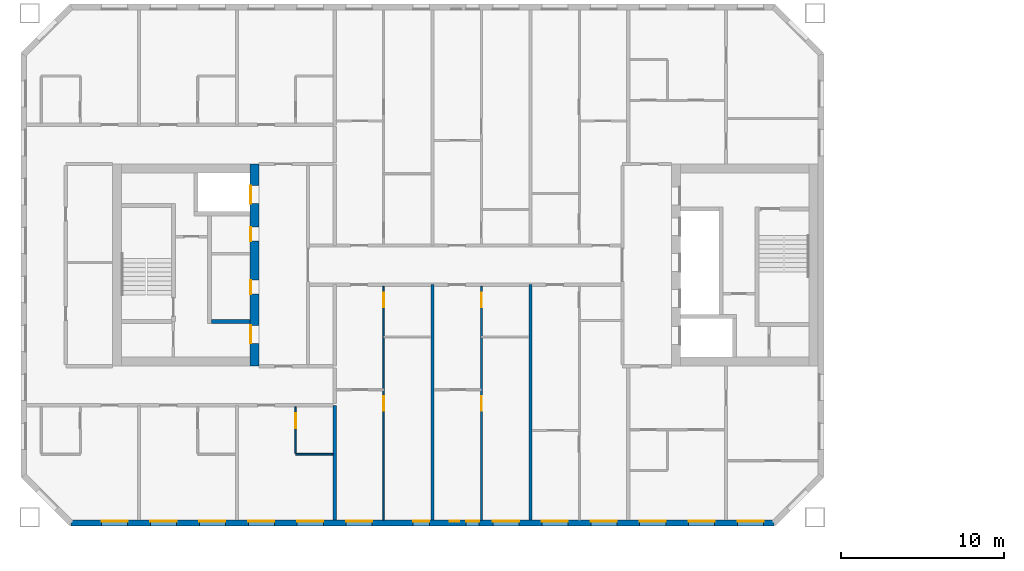
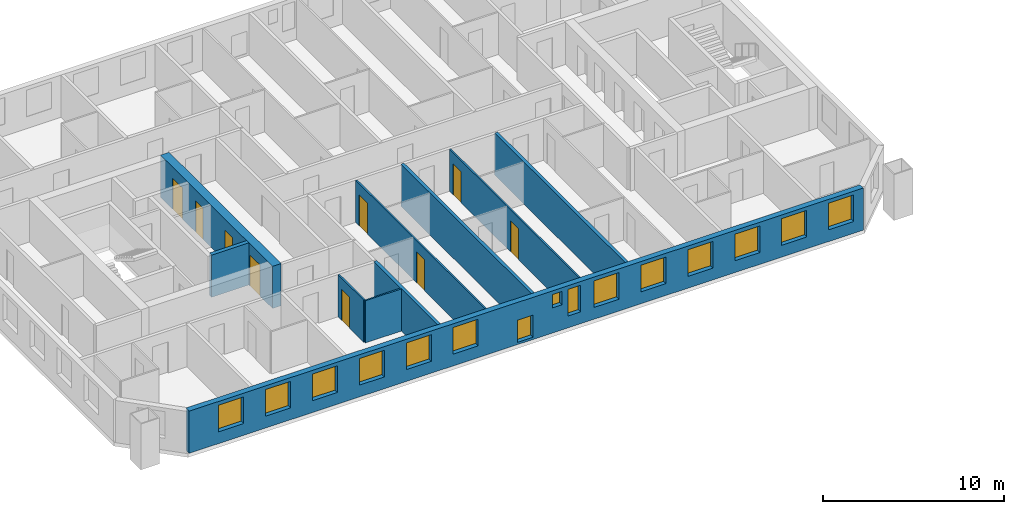
# One storey, part 3 of 16: 15 windows, 10 walls, 9 doors, 24 openings.
"""IFC4 building model written with IfcOpenShell, lengths in metres."""

from ifc_helpers import new_model, si_unit, direction, frame, frame_2d, origin, place, context, subcontext, project, spatial, rectangle, extrude, material, layer, layer_set, type_object, element, fill, save


model = new_model("IFC4")

# Units and contexts
model_context = context("Model", 3, precision=1e-05, world=origin(), true_north=direction((0.0, 1.0)))
body_context = subcontext(model_context, "Body", "Model", "MODEL_VIEW")
ifc_project = project(units=[si_unit("LENGTHUNIT", "METRE"), si_unit("AREAUNIT", "SQUARE_METRE"), si_unit("VOLUMEUNIT", "CUBIC_METRE"), si_unit("PLANEANGLEUNIT", "RADIAN"), si_unit("MASSUNIT", "GRAM", prefix="KILO")], contexts=[model_context])

# Site, building, storey
site_placement = place(None, origin())
site = spatial("IfcSite", under=ifc_project, at=site_placement, CompositionType="ELEMENT")
building_placement = place(site_placement, origin())
building = spatial("IfcBuilding", under=site, at=building_placement, Name="Tuart Gate Housing", CompositionType="ELEMENT")
storey_placement = place(building_placement, frame((0.0, 0.0, 139.199951171875)))
storey = spatial("IfcBuildingStorey", under=building, at=storey_placement, Name="L39", CompositionType="ELEMENT", Elevation=139.199951171875)

# Wall, openings, windows
ifc_material_1 = material(Name="Brick", Category="masonry")
ifc_layer_1 = layer(ifc_material_1, 0.360107421875)
ifc_layer_set_1 = layer_set([ifc_layer_1], Name="Brick pier and spandrel wall 360")
wall_type_1 = type_object("IfcWallType", Name="Brick pier and spandrel wall 360", PredefinedType="STANDARD", material=ifc_layer_set_1)
wall_1_placement = place(storey_placement, frame((29.82470703125, 54.179931640625, 0.0), z_axis=(0.0, 0.0, 1.0), x_axis=(1.0, 0.0, 0.0)))
wall_1 = element("IfcWall", 1, at=wall_1_placement, inside=storey, type_object=wall_type_1, Name="External wall A-S L39", PredefinedType="STANDARD", context=body_context, shape_type="SweptSolid", body=[
    extrude(rectangle(XDim=43.100830078125, YDim=0.360107421875, at=frame_2d((21.55029296875, 0.0))), origin(), (0.0, 0.0, 1.0), 2.85009765625),
])
opening_1_placement = place(wall_1_placement, frame((1.87548828125, 0.0, 0.800048828125)))
opening_1 = element("IfcOpeningElement", 2, at=opening_1_placement, cuts=wall_1, Name="Opening W1", PredefinedType="OPENING", context=body_context, shape_type="SweptSolid", body=[
    extrude(rectangle(XDim=1.60009765625, YDim=1.800048828125, at=frame_2d((0.800048828125, 0.89990234375))), frame((0.0, 0.18994140625, 0.0), z_axis=(0.0, -1.0, 0.0), x_axis=(1.0, 0.0, 0.0)), (0.0, 0.0, 1.0), 0.380126953125),
])
opening_2_placement = place(wall_1_placement, frame((4.87548828125, 0.0, 0.800048828125)))
opening_2 = element("IfcOpeningElement", 3, at=opening_2_placement, cuts=wall_1, Name="Opening W1", PredefinedType="OPENING", context=body_context, shape_type="SweptSolid", body=[
    extrude(rectangle(XDim=1.60009765625, YDim=1.800048828125, at=frame_2d((0.800048828125, 0.89990234375))), frame((0.0, 0.18994140625, 0.0), z_axis=(0.0, -1.0, 0.0), x_axis=(1.0, 0.0, 0.0)), (0.0, 0.0, 1.0), 0.380126953125),
])
opening_3_placement = place(wall_1_placement, frame((7.87548828125, 0.0, 0.800048828125)))
opening_3 = element("IfcOpeningElement", 4, at=opening_3_placement, cuts=wall_1, Name="Opening W1", PredefinedType="OPENING", context=body_context, shape_type="SweptSolid", body=[
    extrude(rectangle(XDim=1.60009765625, YDim=1.800048828125, at=frame_2d((0.800048828125, 0.89990234375))), frame((0.0, 0.18994140625, 0.0), z_axis=(0.0, -1.0, 0.0), x_axis=(1.0, 0.0, 0.0)), (0.0, 0.0, 1.0), 0.380126953125),
])
opening_4_placement = place(wall_1_placement, frame((10.87548828125, 0.0, 0.800048828125)))
opening_4 = element("IfcOpeningElement", 5, at=opening_4_placement, cuts=wall_1, Name="Opening W1", PredefinedType="OPENING", context=body_context, shape_type="SweptSolid", body=[
    extrude(rectangle(XDim=1.60009765625, YDim=1.800048828125, at=frame_2d((0.800048828125, 0.89990234375))), frame((0.0, 0.18994140625, 0.0), z_axis=(0.0, -1.0, 0.0), x_axis=(1.0, 0.0, 0.0)), (0.0, 0.0, 1.0), 0.380126953125),
])
opening_5_placement = place(wall_1_placement, frame((13.87548828125, 0.0, 0.800048828125)))
opening_5 = element("IfcOpeningElement", 6, at=opening_5_placement, cuts=wall_1, Name="Opening W1", PredefinedType="OPENING", context=body_context, shape_type="SweptSolid", body=[
    extrude(rectangle(XDim=1.60009765625, YDim=1.800048828125, at=frame_2d((0.800048828125, 0.89990234375))), frame((0.0, 0.18994140625, 0.0), z_axis=(0.0, -1.0, 0.0), x_axis=(1.0, 0.0, 0.0)), (0.0, 0.0, 1.0), 0.380126953125),
])
opening_6_placement = place(wall_1_placement, frame((16.87548828125, 0.0, 0.800048828125)))
opening_6 = element("IfcOpeningElement", 7, at=opening_6_placement, cuts=wall_1, Name="Opening W1", PredefinedType="OPENING", context=body_context, shape_type="SweptSolid", body=[
    extrude(rectangle(XDim=1.60009765625, YDim=1.800048828125, at=frame_2d((0.800048828125, 0.89990234375))), frame((0.0, 0.18994140625, 0.0), z_axis=(0.0, -1.0, 0.0), x_axis=(1.0, 0.0, 0.0)), (0.0, 0.0, 1.0), 0.380126953125),
])
opening_7_placement = place(wall_1_placement, frame((20.975341796875, 0.0, 0.14990234375)))
opening_7 = element("IfcOpeningElement", 8, at=opening_7_placement, cuts=wall_1, Name="Opening W1I", PredefinedType="OPENING", context=body_context, shape_type="SweptSolid", body=[
    extrude(rectangle(XDim=1.0, YDim=1.5, at=frame_2d((0.5, 0.75))), frame((0.0, 0.18994140625, 0.0), z_axis=(0.0, -1.0, 0.0), x_axis=(1.0, 0.0, 0.0)), (0.0, 0.0, 1.0), 0.380126953125),
])
opening_8_placement = place(wall_1_placement, frame((23.225341796875, 0.0, 1.699951171875)))
opening_8 = element("IfcOpeningElement", 9, at=opening_8_placement, cuts=wall_1, Name="Opening W1W", PredefinedType="OPENING", context=body_context, shape_type="SweptSolid", body=[
    extrude(rectangle(XDim=0.60009765625, YDim=0.89990234375, at=frame_2d((0.300048828125, 0.449951171875))), frame((0.0, 0.18994140625, 0.0), z_axis=(0.0, -1.0, 0.0), x_axis=(1.0, 0.0, 0.0)), (0.0, 0.0, 1.0), 0.380126953125),
])
opening_9_placement = place(wall_1_placement, frame((25.87548828125, 0.0, 0.800048828125)))
opening_9 = element("IfcOpeningElement", 10, at=opening_9_placement, cuts=wall_1, Name="Opening W1", PredefinedType="OPENING", context=body_context, shape_type="SweptSolid", body=[
    extrude(rectangle(XDim=1.60009765625, YDim=1.800048828125, at=frame_2d((0.800048828125, 0.89990234375))), frame((0.0, 0.18994140625, 0.0), z_axis=(0.0, -1.0, 0.0), x_axis=(1.0, 0.0, 0.0)), (0.0, 0.0, 1.0), 0.380126953125),
])
opening_10_placement = place(wall_1_placement, frame((28.87548828125, 0.0, 0.800048828125)))
opening_10 = element("IfcOpeningElement", 11, at=opening_10_placement, cuts=wall_1, Name="Opening W1", PredefinedType="OPENING", context=body_context, shape_type="SweptSolid", body=[
    extrude(rectangle(XDim=1.60009765625, YDim=1.800048828125, at=frame_2d((0.800048828125, 0.89990234375))), frame((0.0, 0.18994140625, 0.0), z_axis=(0.0, -1.0, 0.0), x_axis=(1.0, 0.0, 0.0)), (0.0, 0.0, 1.0), 0.380126953125),
])
opening_11_placement = place(wall_1_placement, frame((31.87548828125, 0.0, 0.800048828125)))
opening_11 = element("IfcOpeningElement", 12, at=opening_11_placement, cuts=wall_1, Name="Opening W1", PredefinedType="OPENING", context=body_context, shape_type="SweptSolid", body=[
    extrude(rectangle(XDim=1.60009765625, YDim=1.800048828125, at=frame_2d((0.800048828125, 0.89990234375))), frame((0.0, 0.18994140625, 0.0), z_axis=(0.0, -1.0, 0.0), x_axis=(1.0, 0.0, 0.0)), (0.0, 0.0, 1.0), 0.380126953125),
])
opening_12_placement = place(wall_1_placement, frame((34.87548828125, 0.0, 0.800048828125)))
opening_12 = element("IfcOpeningElement", 13, at=opening_12_placement, cuts=wall_1, Name="Opening W1", PredefinedType="OPENING", context=body_context, shape_type="SweptSolid", body=[
    extrude(rectangle(XDim=1.60009765625, YDim=1.800048828125, at=frame_2d((0.800048828125, 0.89990234375))), frame((0.0, 0.18994140625, 0.0), z_axis=(0.0, -1.0, 0.0), x_axis=(1.0, 0.0, 0.0)), (0.0, 0.0, 1.0), 0.380126953125),
])
opening_13_placement = place(wall_1_placement, frame((37.87548828125, 0.0, 0.800048828125)))
opening_13 = element("IfcOpeningElement", 14, at=opening_13_placement, cuts=wall_1, Name="Opening W1", PredefinedType="OPENING", context=body_context, shape_type="SweptSolid", body=[
    extrude(rectangle(XDim=1.60009765625, YDim=1.800048828125, at=frame_2d((0.800048828125, 0.89990234375))), frame((0.0, 0.18994140625, 0.0), z_axis=(0.0, -1.0, 0.0), x_axis=(1.0, 0.0, 0.0)), (0.0, 0.0, 1.0), 0.380126953125),
])
opening_14_placement = place(wall_1_placement, frame((40.87548828125, 0.0, 0.800048828125)))
opening_14 = element("IfcOpeningElement", 15, at=opening_14_placement, cuts=wall_1, Name="Opening W1", PredefinedType="OPENING", context=body_context, shape_type="SweptSolid", body=[
    extrude(rectangle(XDim=1.60009765625, YDim=1.800048828125, at=frame_2d((0.800048828125, 0.89990234375))), frame((0.0, 0.18994140625, 0.0), z_axis=(0.0, -1.0, 0.0), x_axis=(1.0, 0.0, 0.0)), (0.0, 0.0, 1.0), 0.380126953125),
])
opening_15_placement = place(wall_1_placement, frame((24.225341796875, 0.0, 0.800048828125)))
opening_15 = element("IfcOpeningElement", 16, at=opening_15_placement, cuts=wall_1, Name="Opening W1D", PredefinedType="OPENING", context=body_context, shape_type="SweptSolid", body=[
    extrude(rectangle(XDim=0.800048828125, YDim=1.800048828125, at=frame_2d((0.39990234375, 0.89990234375))), frame((0.0, 0.18994140625, 0.0), z_axis=(0.0, -1.0, 0.0), x_axis=(1.0, 0.0, 0.0)), (0.0, 0.0, 1.0), 0.380126953125),
])
ifc_material_2 = material(Name="Aluminium frame with clear glass", Category="aluminium")
window_type_1 = type_object("IfcWindowType", Name="Punched window 1000 x 1500", PartitioningType="SINGLE_PANEL", PredefinedType="WINDOW", material=ifc_material_2)
window_1_placement = place(opening_7_placement, origin())
window_1 = element("IfcWindow", 17, at=window_1_placement, inside=storey, type_object=window_type_1, Name="Window W1I", OverallHeight=1.5, OverallWidth=1.0, PartitioningType="SINGLE_PANEL", PredefinedType="WINDOW", context=body_context, shape_type="SweptSolid", body=[
    extrude(rectangle(XDim=1.0, YDim=1.5, at=frame_2d((0.5, 0.75))), frame((0.0, 0.150146484375, 0.0), z_axis=(0.0, -1.0, 0.0), x_axis=(1.0, 0.0, 0.0)), (0.0, 0.0, 1.0), 0.06005859375),
])
fill(opening_7, window_1)
ifc_material_3 = material(Name="Aluminium frame with clear glass", Category="aluminium")
window_type_2 = type_object("IfcWindowType", Name="Punched window 1600 x 1800", PartitioningType="SINGLE_PANEL", PredefinedType="WINDOW", material=ifc_material_3)
window_2_placement = place(opening_1_placement, origin())
window_2 = element("IfcWindow", 18, at=window_2_placement, inside=storey, type_object=window_type_2, Name="Window W1", OverallHeight=1.800048828125, OverallWidth=1.60009765625, PartitioningType="SINGLE_PANEL", PredefinedType="WINDOW", context=body_context, shape_type="SweptSolid", body=[
    extrude(rectangle(XDim=1.60009765625, YDim=1.800048828125, at=frame_2d((0.800048828125, 0.89990234375))), frame((0.0, 0.150146484375, 0.0), z_axis=(0.0, -1.0, 0.0), x_axis=(1.0, 0.0, 0.0)), (0.0, 0.0, 1.0), 0.06005859375),
])
fill(opening_1, window_2)
window_3_placement = place(opening_2_placement, origin())
window_3 = element("IfcWindow", 19, at=window_3_placement, inside=storey, type_object=window_type_2, Name="Window W1", OverallHeight=1.800048828125, OverallWidth=1.60009765625, PartitioningType="SINGLE_PANEL", PredefinedType="WINDOW", context=body_context, shape_type="SweptSolid", body=[
    extrude(rectangle(XDim=1.60009765625, YDim=1.800048828125, at=frame_2d((0.800048828125, 0.89990234375))), frame((0.0, 0.150146484375, 0.0), z_axis=(0.0, -1.0, 0.0), x_axis=(1.0, 0.0, 0.0)), (0.0, 0.0, 1.0), 0.06005859375),
])
fill(opening_2, window_3)
window_4_placement = place(opening_3_placement, origin())
window_4 = element("IfcWindow", 20, at=window_4_placement, inside=storey, type_object=window_type_2, Name="Window W1", OverallHeight=1.800048828125, OverallWidth=1.60009765625, PartitioningType="SINGLE_PANEL", PredefinedType="WINDOW", context=body_context, shape_type="SweptSolid", body=[
    extrude(rectangle(XDim=1.60009765625, YDim=1.800048828125, at=frame_2d((0.800048828125, 0.89990234375))), frame((0.0, 0.150146484375, 0.0), z_axis=(0.0, -1.0, 0.0), x_axis=(1.0, 0.0, 0.0)), (0.0, 0.0, 1.0), 0.06005859375),
])
fill(opening_3, window_4)
window_5_placement = place(opening_4_placement, origin())
window_5 = element("IfcWindow", 21, at=window_5_placement, inside=storey, type_object=window_type_2, Name="Window W1", OverallHeight=1.800048828125, OverallWidth=1.60009765625, PartitioningType="SINGLE_PANEL", PredefinedType="WINDOW", context=body_context, shape_type="SweptSolid", body=[
    extrude(rectangle(XDim=1.60009765625, YDim=1.800048828125, at=frame_2d((0.800048828125, 0.89990234375))), frame((0.0, 0.150146484375, 0.0), z_axis=(0.0, -1.0, 0.0), x_axis=(1.0, 0.0, 0.0)), (0.0, 0.0, 1.0), 0.06005859375),
])
fill(opening_4, window_5)
window_6_placement = place(opening_5_placement, origin())
window_6 = element("IfcWindow", 22, at=window_6_placement, inside=storey, type_object=window_type_2, Name="Window W1", OverallHeight=1.800048828125, OverallWidth=1.60009765625, PartitioningType="SINGLE_PANEL", PredefinedType="WINDOW", context=body_context, shape_type="SweptSolid", body=[
    extrude(rectangle(XDim=1.60009765625, YDim=1.800048828125, at=frame_2d((0.800048828125, 0.89990234375))), frame((0.0, 0.150146484375, 0.0), z_axis=(0.0, -1.0, 0.0), x_axis=(1.0, 0.0, 0.0)), (0.0, 0.0, 1.0), 0.06005859375),
])
fill(opening_5, window_6)
window_7_placement = place(opening_6_placement, origin())
window_7 = element("IfcWindow", 23, at=window_7_placement, inside=storey, type_object=window_type_2, Name="Window W1", OverallHeight=1.800048828125, OverallWidth=1.60009765625, PartitioningType="SINGLE_PANEL", PredefinedType="WINDOW", context=body_context, shape_type="SweptSolid", body=[
    extrude(rectangle(XDim=1.60009765625, YDim=1.800048828125, at=frame_2d((0.800048828125, 0.89990234375))), frame((0.0, 0.150146484375, 0.0), z_axis=(0.0, -1.0, 0.0), x_axis=(1.0, 0.0, 0.0)), (0.0, 0.0, 1.0), 0.06005859375),
])
fill(opening_6, window_7)
window_8_placement = place(opening_9_placement, origin())
window_8 = element("IfcWindow", 24, at=window_8_placement, inside=storey, type_object=window_type_2, Name="Window W1", OverallHeight=1.800048828125, OverallWidth=1.60009765625, PartitioningType="SINGLE_PANEL", PredefinedType="WINDOW", context=body_context, shape_type="SweptSolid", body=[
    extrude(rectangle(XDim=1.60009765625, YDim=1.800048828125, at=frame_2d((0.800048828125, 0.89990234375))), frame((0.0, 0.150146484375, 0.0), z_axis=(0.0, -1.0, 0.0), x_axis=(1.0, 0.0, 0.0)), (0.0, 0.0, 1.0), 0.06005859375),
])
fill(opening_9, window_8)
window_9_placement = place(opening_10_placement, origin())
window_9 = element("IfcWindow", 25, at=window_9_placement, inside=storey, type_object=window_type_2, Name="Window W1", OverallHeight=1.800048828125, OverallWidth=1.60009765625, PartitioningType="SINGLE_PANEL", PredefinedType="WINDOW", context=body_context, shape_type="SweptSolid", body=[
    extrude(rectangle(XDim=1.60009765625, YDim=1.800048828125, at=frame_2d((0.800048828125, 0.89990234375))), frame((0.0, 0.150146484375, 0.0), z_axis=(0.0, -1.0, 0.0), x_axis=(1.0, 0.0, 0.0)), (0.0, 0.0, 1.0), 0.06005859375),
])
fill(opening_10, window_9)
window_10_placement = place(opening_11_placement, origin())
window_10 = element("IfcWindow", 26, at=window_10_placement, inside=storey, type_object=window_type_2, Name="Window W1", OverallHeight=1.800048828125, OverallWidth=1.60009765625, PartitioningType="SINGLE_PANEL", PredefinedType="WINDOW", context=body_context, shape_type="SweptSolid", body=[
    extrude(rectangle(XDim=1.60009765625, YDim=1.800048828125, at=frame_2d((0.800048828125, 0.89990234375))), frame((0.0, 0.150146484375, 0.0), z_axis=(0.0, -1.0, 0.0), x_axis=(1.0, 0.0, 0.0)), (0.0, 0.0, 1.0), 0.06005859375),
])
fill(opening_11, window_10)
window_11_placement = place(opening_12_placement, origin())
window_11 = element("IfcWindow", 27, at=window_11_placement, inside=storey, type_object=window_type_2, Name="Window W1", OverallHeight=1.800048828125, OverallWidth=1.60009765625, PartitioningType="SINGLE_PANEL", PredefinedType="WINDOW", context=body_context, shape_type="SweptSolid", body=[
    extrude(rectangle(XDim=1.60009765625, YDim=1.800048828125, at=frame_2d((0.800048828125, 0.89990234375))), frame((0.0, 0.150146484375, 0.0), z_axis=(0.0, -1.0, 0.0), x_axis=(1.0, 0.0, 0.0)), (0.0, 0.0, 1.0), 0.06005859375),
])
fill(opening_12, window_11)
window_12_placement = place(opening_13_placement, origin())
window_12 = element("IfcWindow", 28, at=window_12_placement, inside=storey, type_object=window_type_2, Name="Window W1", OverallHeight=1.800048828125, OverallWidth=1.60009765625, PartitioningType="SINGLE_PANEL", PredefinedType="WINDOW", context=body_context, shape_type="SweptSolid", body=[
    extrude(rectangle(XDim=1.60009765625, YDim=1.800048828125, at=frame_2d((0.800048828125, 0.89990234375))), frame((0.0, 0.150146484375, 0.0), z_axis=(0.0, -1.0, 0.0), x_axis=(1.0, 0.0, 0.0)), (0.0, 0.0, 1.0), 0.06005859375),
])
fill(opening_13, window_12)
window_13_placement = place(opening_14_placement, origin())
window_13 = element("IfcWindow", 29, at=window_13_placement, inside=storey, type_object=window_type_2, Name="Window W1", OverallHeight=1.800048828125, OverallWidth=1.60009765625, PartitioningType="SINGLE_PANEL", PredefinedType="WINDOW", context=body_context, shape_type="SweptSolid", body=[
    extrude(rectangle(XDim=1.60009765625, YDim=1.800048828125, at=frame_2d((0.800048828125, 0.89990234375))), frame((0.0, 0.150146484375, 0.0), z_axis=(0.0, -1.0, 0.0), x_axis=(1.0, 0.0, 0.0)), (0.0, 0.0, 1.0), 0.06005859375),
])
fill(opening_14, window_13)
ifc_material_4 = material(Name="Aluminium frame with clear glass", Category="aluminium")
window_type_3 = type_object("IfcWindowType", Name="Punched window 600 x 900", PartitioningType="SINGLE_PANEL", PredefinedType="WINDOW", material=ifc_material_4)
window_14_placement = place(opening_8_placement, origin())
window_14 = element("IfcWindow", 30, at=window_14_placement, inside=storey, type_object=window_type_3, Name="Window W1W", OverallHeight=0.89990234375, OverallWidth=0.60009765625, PartitioningType="SINGLE_PANEL", PredefinedType="WINDOW", context=body_context, shape_type="SweptSolid", body=[
    extrude(rectangle(XDim=0.60009765625, YDim=0.89990234375, at=frame_2d((0.300048828125, 0.449951171875))), frame((0.0, 0.150146484375, 0.0), z_axis=(0.0, -1.0, 0.0), x_axis=(1.0, 0.0, 0.0)), (0.0, 0.0, 1.0), 0.06005859375),
])
fill(opening_8, window_14)
ifc_material_5 = material(Name="Aluminium frame with clear glass", Category="aluminium")
window_type_4 = type_object("IfcWindowType", Name="Punched window 800 x 1800", PartitioningType="SINGLE_PANEL", PredefinedType="WINDOW", material=ifc_material_5)
window_15_placement = place(opening_15_placement, origin())
window_15 = element("IfcWindow", 31, at=window_15_placement, inside=storey, type_object=window_type_4, Name="Window W1D", OverallHeight=1.800048828125, OverallWidth=0.800048828125, PartitioningType="SINGLE_PANEL", PredefinedType="WINDOW", context=body_context, shape_type="SweptSolid", body=[
    extrude(rectangle(XDim=0.800048828125, YDim=1.800048828125, at=frame_2d((0.39990234375, 0.89990234375))), frame((0.0, 0.150146484375, 0.0), z_axis=(0.0, -1.0, 0.0), x_axis=(1.0, 0.0, 0.0)), (0.0, 0.0, 1.0), 0.06005859375),
])
fill(opening_15, window_15)

# Wall
ifc_material_6 = material(Name="Concrete C50", Category="concrete")
ifc_layer_2 = layer(ifc_material_6, 0.25)
ifc_layer_set_2 = layer_set([ifc_layer_2], Name="Core wall 250 C50")
wall_type_2 = type_object("IfcWallType", Name="Core wall 250 C50", PredefinedType="SHEAR", material=ifc_layer_set_2)
wall_2_placement = place(storey_placement, frame((40.81005859375, 66.550048828125, 0.0), z_axis=(0.0, 0.0, 1.0), x_axis=(-1.0, 0.0, 0.0)))
element("IfcWall", 32, at=wall_2_placement, inside=storey, type_object=wall_type_2, Name="Core wall AK.5", PredefinedType="SHEAR", context=body_context, shape_type="SweptSolid", body=[
    extrude(rectangle(XDim=2.375, YDim=0.25, at=frame_2d((1.1875, 0.0))), origin(), (0.0, 0.0, 1.0), 2.85009765625),
])

# Wall, openings, doors
ifc_material_7 = material(Name="Concrete C50", Category="concrete")
ifc_layer_3 = layer(ifc_material_7, 0.550048828125)
ifc_layer_set_3 = layer_set([ifc_layer_3], Name="Core wall 550 C50")
wall_type_3 = type_object("IfcWallType", Name="Core wall 550 C50", PredefinedType="SHEAR", material=ifc_layer_set_3)
wall_3_placement = place(storey_placement, frame((41.0849609375, 76.199951171875, 0.0), z_axis=(0.0, 0.0, 1.0), x_axis=(0.0, -1.0, 0.0)))
wall_3 = element("IfcWall", 33, at=wall_3_placement, inside=storey, type_object=wall_type_3, Name="Core wall AK front", PredefinedType="SHEAR", context=body_context, shape_type="SweptSolid", body=[
    extrude(rectangle(XDim=12.39990234375, YDim=0.550048828125, at=frame_2d((6.199951171875, 0.0))), origin(), (0.0, 0.0, 1.0), 2.85009765625),
])
opening_16_placement = place(wall_3_placement, frame((1.324951171875, 0.0, 0.0)))
opening_16 = element("IfcOpeningElement", 34, at=opening_16_placement, cuts=wall_3, Name="Opening LD-FA2", PredefinedType="OPENING", context=body_context, shape_type="SweptSolid", body=[
    extrude(rectangle(XDim=1.10009765625, YDim=2.10009765625, at=frame_2d((0.550048828125, 1.050048828125))), frame((0.0, 0.284912109375, 0.0), z_axis=(0.0, -1.0, 0.0), x_axis=(1.0, 0.0, 0.0)), (0.0, 0.0, 1.0), 0.570068359375),
])
opening_17_placement = place(wall_3_placement, frame((3.875, 0.0, 0.0)))
opening_17 = element("IfcOpeningElement", 35, at=opening_17_placement, cuts=wall_3, Name="Opening D1432", PredefinedType="OPENING", context=body_context, shape_type="SweptSolid", body=[
    extrude(rectangle(XDim=0.85009765625, YDim=2.10009765625, at=frame_2d((0.425048828125, 1.050048828125))), frame((0.0, 0.284912109375, 0.0), z_axis=(0.0, -1.0, 0.0), x_axis=(1.0, 0.0, 0.0)), (0.0, 0.0, 1.0), 0.570068359375),
])
opening_18_placement = place(wall_3_placement, frame((7.125, 0.0, 0.0)))
opening_18 = element("IfcOpeningElement", 36, at=opening_18_placement, cuts=wall_3, Name="Opening D1433", PredefinedType="OPENING", context=body_context, shape_type="SweptSolid", body=[
    extrude(rectangle(XDim=0.85009765625, YDim=2.10009765625, at=frame_2d((0.425048828125, 1.050048828125))), frame((0.0, 0.284912109375, 0.0), z_axis=(0.0, -1.0, 0.0), x_axis=(1.0, 0.0, 0.0)), (0.0, 0.0, 1.0), 0.570068359375),
])
opening_19_placement = place(wall_3_placement, frame((9.89990234375, 0.0, 0.0)))
opening_19 = element("IfcOpeningElement", 37, at=opening_19_placement, cuts=wall_3, Name="Opening D1431", PredefinedType="OPENING", context=body_context, shape_type="SweptSolid", body=[
    extrude(rectangle(XDim=1.10009765625, YDim=2.10009765625, at=frame_2d((0.550048828125, 1.050048828125))), frame((0.0, 0.284912109375, 0.0), z_axis=(0.0, -1.0, 0.0), x_axis=(1.0, 0.0, 0.0)), (0.0, 0.0, 1.0), 0.570068359375),
])
ifc_material_8 = material(Name="Stainless steel", Category="steel")
door_type_1 = type_object("IfcDoorType", Name="Landing door 1100 x 2100", OperationType="DOUBLE_DOOR_SLIDING", PredefinedType="DOOR", material=ifc_material_8)
door_1_placement = place(opening_16_placement, origin())
door_1 = element("IfcDoor", 38, at=door_1_placement, inside=storey, type_object=door_type_1, Name="Lift landing door FA2", OperationType="DOUBLE_DOOR_SLIDING", OverallHeight=2.10009765625, OverallWidth=1.10009765625, PredefinedType="DOOR", context=body_context, shape_type="SweptSolid", body=[
    extrude(rectangle(XDim=1.10009765625, YDim=2.10009765625, at=frame_2d((0.550048828125, 1.050048828125))), frame((0.0, -0.2099609375, 0.0), z_axis=(0.0, -1.0, 0.0), x_axis=(1.0, 0.0, 0.0)), (0.0, 0.0, 1.0), 0.050048828125),
])
fill(opening_16, door_1)
ifc_material_9 = material(Name="Steel fire door", Category="steel")
door_type_2 = type_object("IfcDoorType", Name="Lobby door 1100 x 2100 RH", OperationType="SINGLE_SWING_RIGHT", PredefinedType="DOOR", material=ifc_material_9)
door_2_placement = place(opening_19_placement, frame((1.10009765625, 0.0, 0.0), z_axis=(0.0, 0.0, 1.0), x_axis=(-1.0, 0.0, 0.0)))
door_2 = element("IfcDoor", 39, at=door_2_placement, inside=storey, type_object=door_type_2, Name="Lobby entry door AK.EN", OperationType="SINGLE_SWING_RIGHT", OverallHeight=2.10009765625, OverallWidth=1.10009765625, PredefinedType="DOOR", context=body_context, shape_type="SweptSolid", body=[
    extrude(rectangle(XDim=1.10009765625, YDim=2.10009765625, at=frame_2d((0.550048828125, 1.050048828125))), frame((0.0, 0.260009765625, 0.0), z_axis=(0.0, -1.0, 0.0), x_axis=(1.0, 0.0, 0.0)), (0.0, 0.0, 1.0), 0.050048828125),
])
fill(opening_19, door_2)
ifc_material_10 = material(Name="Steel fire door", Category="steel")
door_type_3 = type_object("IfcDoorType", Name="Service door 850 x 2100 RH", OperationType="SINGLE_SWING_RIGHT", PredefinedType="DOOR", material=ifc_material_10)
door_3_placement = place(opening_17_placement, frame((0.85009765625, 0.0, 0.0), z_axis=(0.0, 0.0, 1.0), x_axis=(-1.0, 0.0, 0.0)))
door_3 = element("IfcDoor", 40, at=door_3_placement, inside=storey, type_object=door_type_3, Name="Service room door AK.FR1", OperationType="SINGLE_SWING_RIGHT", OverallHeight=2.10009765625, OverallWidth=0.85009765625, PredefinedType="DOOR", context=body_context, shape_type="SweptSolid", body=[
    extrude(rectangle(XDim=0.85009765625, YDim=2.10009765625, at=frame_2d((0.425048828125, 1.050048828125))), frame((0.0, 0.260009765625, 0.0), z_axis=(0.0, -1.0, 0.0), x_axis=(1.0, 0.0, 0.0)), (0.0, 0.0, 1.0), 0.050048828125),
])
fill(opening_17, door_3)
door_4_placement = place(opening_18_placement, frame((0.85009765625, 0.0, 0.0), z_axis=(0.0, 0.0, 1.0), x_axis=(-1.0, 0.0, 0.0)))
door_4 = element("IfcDoor", 41, at=door_4_placement, inside=storey, type_object=door_type_3, Name="Service room door AK.FR2", OperationType="SINGLE_SWING_RIGHT", OverallHeight=2.10009765625, OverallWidth=0.85009765625, PredefinedType="DOOR", context=body_context, shape_type="SweptSolid", body=[
    extrude(rectangle(XDim=0.85009765625, YDim=2.10009765625, at=frame_2d((0.425048828125, 1.050048828125))), frame((0.0, 0.260009765625, 0.0), z_axis=(0.0, -1.0, 0.0), x_axis=(1.0, 0.0, 0.0)), (0.0, 0.0, 1.0), 0.050048828125),
])
fill(opening_18, door_4)

# Wall
ifc_material_11 = material(Name="Gypsum board on steel studs", Category="steel")
ifc_layer_4 = layer(ifc_material_11, 0.10009765625)
ifc_layer_set_4 = layer_set([ifc_layer_4], Name="Partition 100")
wall_type_4 = type_object("IfcWallType", Name="Partition 100", PredefinedType="PARTITIONING", material=ifc_layer_set_4)
wall_4_placement = place(storey_placement, frame((43.60009765625, 58.39990234375, 0.0), z_axis=(0.0, 0.0, 1.0), x_axis=(1.0, 0.0, 0.0)))
element("IfcWall", 42, at=wall_4_placement, inside=storey, type_object=wall_type_4, Name="Partition 100", PredefinedType="PARTITIONING", context=body_context, shape_type="SweptSolid", body=[
    extrude(rectangle(XDim=2.2998046875, YDim=0.10009765625, at=frame_2d((1.14990234375, 0.0))), origin(), (0.0, 0.0, 1.0), 2.85009765625),
])

# Wall, opening, door
wall_5_placement = place(storey_placement, frame((43.60009765625, 58.449951171875, 0.0), z_axis=(0.0, 0.0, 1.0), x_axis=(0.0, 1.0, 0.0)))
wall_5 = element("IfcWall", 43, at=wall_5_placement, inside=storey, type_object=wall_type_4, Name="Partition 100", PredefinedType="PARTITIONING", context=body_context, shape_type="SweptSolid", body=[
    extrude(rectangle(XDim=2.85009765625, YDim=0.10009765625, at=frame_2d((1.425048828125, 0.0))), origin(), (0.0, 0.0, 1.0), 2.85009765625),
])
opening_20_placement = place(wall_5_placement, frame((1.550048828125, 0.0, 0.0)))
opening_20 = element("IfcOpeningElement", 44, at=opening_20_placement, cuts=wall_5, Name="Opening D1460", PredefinedType="OPENING", context=body_context, shape_type="SweptSolid", body=[
    extrude(rectangle(XDim=0.89990234375, YDim=2.10009765625, at=frame_2d((0.449951171875, 1.050048828125))), frame((0.0, 0.06005859375, 0.0), z_axis=(0.0, -1.0, 0.0), x_axis=(1.0, 0.0, 0.0)), (0.0, 0.0, 1.0), 0.1201171875),
])
ifc_material_12 = material(Name="Timber door leaf in steel frame", Category="steel")
door_type_4 = type_object("IfcDoorType", Name="Bathroom door 900", OperationType="SINGLE_SWING_LEFT", PredefinedType="DOOR", material=ifc_material_12)
door_5_placement = place(opening_20_placement, frame((0.89990234375, 0.0, 0.0), z_axis=(0.0, 0.0, 1.0), x_axis=(-1.0, 0.0, 0.0)))
door_5 = element("IfcDoor", 45, at=door_5_placement, inside=storey, type_object=door_type_4, Name="Bathroom door", OperationType="SINGLE_SWING_LEFT", OverallHeight=2.10009765625, OverallWidth=0.89990234375, PredefinedType="DOOR", context=body_context, shape_type="SweptSolid", body=[
    extrude(rectangle(XDim=0.89990234375, YDim=2.10009765625, at=frame_2d((0.449951171875, 1.050048828125))), frame((0.0, 0.025146484375, 0.0), z_axis=(0.0, -1.0, 0.0), x_axis=(1.0, 0.0, 0.0)), (0.0, 0.0, 1.0), 0.050048828125),
])
fill(opening_20, door_5)

# Wall, openings, doors
wall_6_placement = place(storey_placement, frame((49.0, 54.360107421875, 0.0), z_axis=(0.0, 0.0, 1.0), x_axis=(0.0, 1.0, 0.0)))
wall_6 = element("IfcWall", 46, at=wall_6_placement, inside=storey, type_object=wall_type_4, Name="Partition 100", PredefinedType="PARTITIONING", context=body_context, shape_type="SweptSolid", body=[
    extrude(rectangle(XDim=14.33984375, YDim=0.10009765625, at=frame_2d((7.169921875, 0.0))), origin(), (0.0, 0.0, 1.0), 2.85009765625),
])
opening_21_placement = place(wall_6_placement, frame((6.699951171875, 0.0, 0.0)))
opening_21 = element("IfcOpeningElement", 47, at=opening_21_placement, cuts=wall_6, Name="Opening D1448", PredefinedType="OPENING", context=body_context, shape_type="SweptSolid", body=[
    extrude(rectangle(XDim=0.89990234375, YDim=2.10009765625, at=frame_2d((0.449951171875, 1.050048828125))), frame((0.0, 0.06005859375, 0.0), z_axis=(0.0, -1.0, 0.0), x_axis=(1.0, 0.0, 0.0)), (0.0, 0.0, 1.0), 0.1201171875),
])
opening_22_placement = place(wall_6_placement, frame((13.0400390625, 0.0, 0.0)))
opening_22 = element("IfcOpeningElement", 48, at=opening_22_placement, cuts=wall_6, Name="Opening D1447", PredefinedType="OPENING", context=body_context, shape_type="SweptSolid", body=[
    extrude(rectangle(XDim=0.89990234375, YDim=2.10009765625, at=frame_2d((0.449951171875, 1.050048828125))), frame((0.0, 0.06005859375, 0.0), z_axis=(0.0, -1.0, 0.0), x_axis=(1.0, 0.0, 0.0)), (0.0, 0.0, 1.0), 0.1201171875),
])
door_6_placement = place(opening_22_placement, frame((0.89990234375, 0.0, 0.0), z_axis=(0.0, 0.0, 1.0), x_axis=(-1.0, 0.0, 0.0)))
door_6 = element("IfcDoor", 49, at=door_6_placement, inside=storey, type_object=door_type_4, Name="Bathroom door", OperationType="SINGLE_SWING_LEFT", OverallHeight=2.10009765625, OverallWidth=0.89990234375, PredefinedType="DOOR", context=body_context, shape_type="SweptSolid", body=[
    extrude(rectangle(XDim=0.89990234375, YDim=2.10009765625, at=frame_2d((0.449951171875, 1.050048828125))), frame((0.0, 0.025146484375, 0.0), z_axis=(0.0, -1.0, 0.0), x_axis=(1.0, 0.0, 0.0)), (0.0, 0.0, 1.0), 0.050048828125),
])
fill(opening_22, door_6)
ifc_material_13 = material(Name="Timber door leaf in steel frame", Category="steel")
door_type_5 = type_object("IfcDoorType", Name="Internal door 900", OperationType="SINGLE_SWING_LEFT", PredefinedType="DOOR", material=ifc_material_13)
door_7_placement = place(opening_21_placement, frame((0.89990234375, 0.0, 0.0), z_axis=(0.0, 0.0, 1.0), x_axis=(-1.0, 0.0, 0.0)))
door_7 = element("IfcDoor", 50, at=door_7_placement, inside=storey, type_object=door_type_5, Name="Internal door", OperationType="SINGLE_SWING_LEFT", OverallHeight=2.10009765625, OverallWidth=0.89990234375, PredefinedType="DOOR", context=body_context, shape_type="SweptSolid", body=[
    extrude(rectangle(XDim=0.89990234375, YDim=2.10009765625, at=frame_2d((0.449951171875, 1.050048828125))), frame((0.0, 0.025146484375, 0.0), z_axis=(0.0, -1.0, 0.0), x_axis=(1.0, 0.0, 0.0)), (0.0, 0.0, 1.0), 0.050048828125),
])
fill(opening_21, door_7)

wall_7_placement = place(storey_placement, frame((55.0, 54.360107421875, 0.0), z_axis=(0.0, 0.0, 1.0), x_axis=(0.0, 1.0, 0.0)))
wall_7 = element("IfcWall", 51, at=wall_7_placement, inside=storey, type_object=wall_type_4, Name="Partition 100", PredefinedType="PARTITIONING", context=body_context, shape_type="SweptSolid", body=[
    extrude(rectangle(XDim=14.33984375, YDim=0.10009765625, at=frame_2d((7.169921875, 0.0))), origin(), (0.0, 0.0, 1.0), 2.85009765625),
])
opening_23_placement = place(wall_7_placement, frame((6.699951171875, 0.0, 0.0)))
opening_23 = element("IfcOpeningElement", 52, at=opening_23_placement, cuts=wall_7, Name="Opening D1450", PredefinedType="OPENING", context=body_context, shape_type="SweptSolid", body=[
    extrude(rectangle(XDim=0.89990234375, YDim=2.10009765625, at=frame_2d((0.449951171875, 1.050048828125))), frame((0.0, 0.06005859375, 0.0), z_axis=(0.0, -1.0, 0.0), x_axis=(1.0, 0.0, 0.0)), (0.0, 0.0, 1.0), 0.1201171875),
])
opening_24_placement = place(wall_7_placement, frame((13.0400390625, 0.0, 0.0)))
opening_24 = element("IfcOpeningElement", 53, at=opening_24_placement, cuts=wall_7, Name="Opening D1449", PredefinedType="OPENING", context=body_context, shape_type="SweptSolid", body=[
    extrude(rectangle(XDim=0.89990234375, YDim=2.10009765625, at=frame_2d((0.449951171875, 1.050048828125))), frame((0.0, 0.06005859375, 0.0), z_axis=(0.0, -1.0, 0.0), x_axis=(1.0, 0.0, 0.0)), (0.0, 0.0, 1.0), 0.1201171875),
])
door_8_placement = place(opening_24_placement, frame((0.89990234375, 0.0, 0.0), z_axis=(0.0, 0.0, 1.0), x_axis=(-1.0, 0.0, 0.0)))
door_8 = element("IfcDoor", 54, at=door_8_placement, inside=storey, type_object=door_type_4, Name="Bathroom door", OperationType="SINGLE_SWING_LEFT", OverallHeight=2.10009765625, OverallWidth=0.89990234375, PredefinedType="DOOR", context=body_context, shape_type="SweptSolid", body=[
    extrude(rectangle(XDim=0.89990234375, YDim=2.10009765625, at=frame_2d((0.449951171875, 1.050048828125))), frame((0.0, 0.025146484375, 0.0), z_axis=(0.0, -1.0, 0.0), x_axis=(1.0, 0.0, 0.0)), (0.0, 0.0, 1.0), 0.050048828125),
])
fill(opening_24, door_8)
door_9_placement = place(opening_23_placement, frame((0.89990234375, 0.0, 0.0), z_axis=(0.0, 0.0, 1.0), x_axis=(-1.0, 0.0, 0.0)))
door_9 = element("IfcDoor", 55, at=door_9_placement, inside=storey, type_object=door_type_5, Name="Internal door", OperationType="SINGLE_SWING_LEFT", OverallHeight=2.10009765625, OverallWidth=0.89990234375, PredefinedType="DOOR", context=body_context, shape_type="SweptSolid", body=[
    extrude(rectangle(XDim=0.89990234375, YDim=2.10009765625, at=frame_2d((0.449951171875, 1.050048828125))), frame((0.0, 0.025146484375, 0.0), z_axis=(0.0, -1.0, 0.0), x_axis=(1.0, 0.0, 0.0)), (0.0, 0.0, 1.0), 0.050048828125),
])
fill(opening_23, door_9)

# Walls
ifc_material_14 = material(Name="Concrete C40", Category="concrete")
ifc_layer_5 = layer(ifc_material_14, 0.199951171875)
ifc_layer_set_5 = layer_set([ifc_layer_5], Name="Party wall concrete C40 200")
wall_type_5 = type_object("IfcWallType", Name="Party wall concrete C40 200", PredefinedType="SOLIDWALL", material=ifc_layer_set_5)
wall_8_placement = place(storey_placement, frame((46.0, 54.360107421875, 0.0), z_axis=(0.0, 0.0, 1.0), x_axis=(0.0, 1.0, 0.0)))
element("IfcWall", 56, at=wall_8_placement, inside=storey, type_object=wall_type_5, Name="Party wall concrete C40 200", PredefinedType="SOLIDWALL", context=body_context, shape_type="SweptSolid", body=[
    extrude(rectangle(XDim=7.039794921875, YDim=0.199951171875, at=frame_2d((3.52001953125, 0.0))), origin(), (0.0, 0.0, 1.0), 2.85009765625),
])
for number, where, z_axis, x_axis, name in (
    (57, (52.0, 54.360107421875, 0.0), (0.0, 0.0, 1.0), (0.0, 1.0, 0.0), "Party wall concrete C40 200"),
    (58, (58.0, 54.360107421875, 0.0), (0.0, 0.0, 1.0), (0.0, 1.0, 0.0), "Party wall concrete C40 200"),
):
    element("IfcWall", number, at=place(storey_placement, frame(where, z_axis=z_axis, x_axis=x_axis)), inside=storey, type_object=wall_type_5, Name=name, PredefinedType="SOLIDWALL", context=body_context, shape_type="SweptSolid", body=[
        extrude(rectangle(XDim=14.43994140625, YDim=0.199951171875, at=frame_2d((7.219970703125, 0.0))), origin(), (0.0, 0.0, 1.0), 2.85009765625),
    ])

save(model, "model.ifc")
